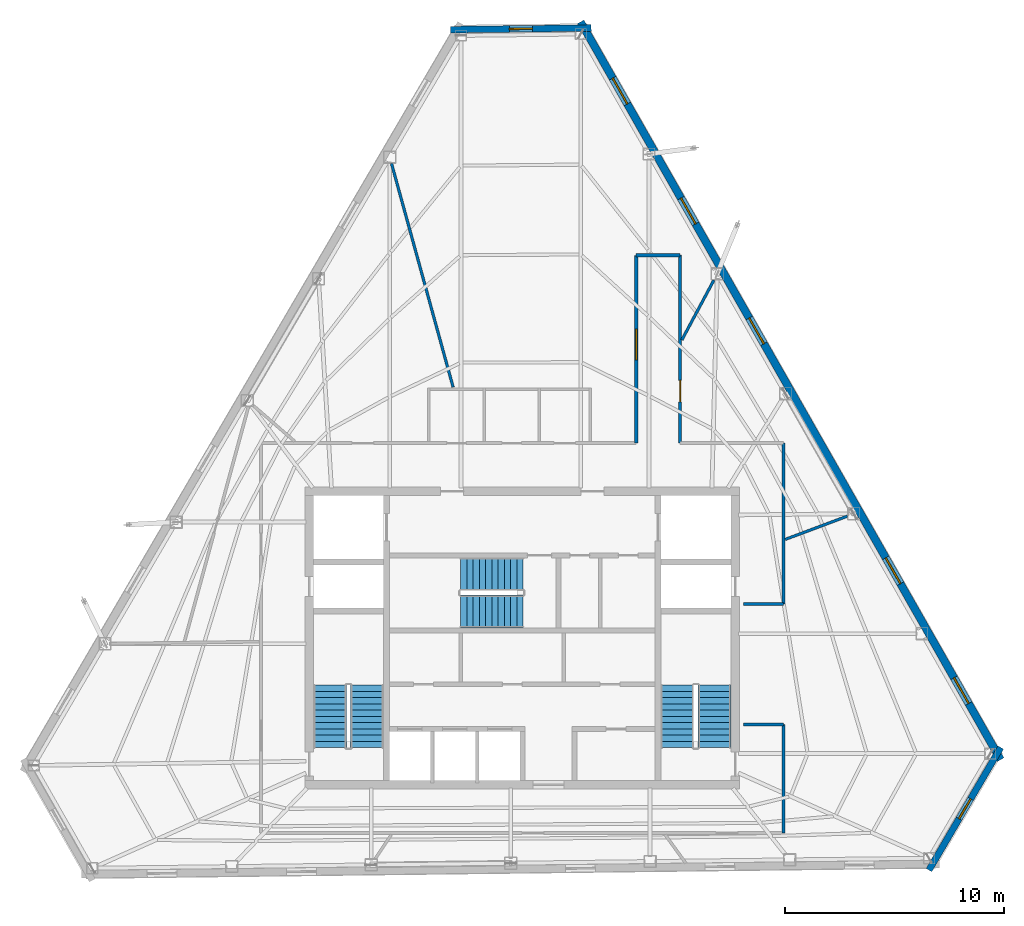
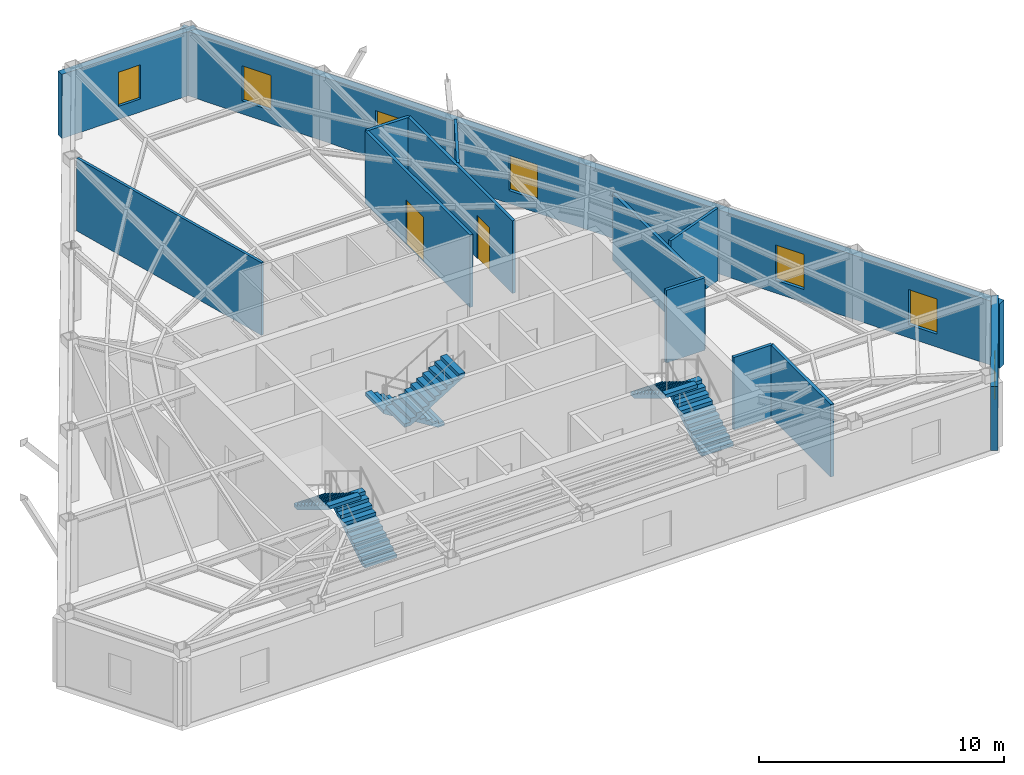
# One storey, part 9 of 10: 13 walls, 7 windows, 6 stair flights, 2 doors, 9 openings, 3 elements without a shape of their own.
"""IFC4 building model written with IfcOpenShell, lengths in metres."""

import ifcopenshell
import ifcopenshell.guid

model = None  # the IFC model being written
_history = None  # IfcOwnerHistory: only IFC2X3 demands one
_inside = {}  # id of a spatial element -> (the spatial element, [elements in it])
_under = {}  # id of a project, library or spatial element -> (it, [spatial elements below it])
_declared = {}  # id of a project -> (the project, [libraries it declares])
_typed = {}  # id of a type object -> (the type object, [elements of that type])
_made_of = {}  # id of a material, layer set ... -> (it, [elements and type objects made of it])


def new_model(schema):
    """Start an empty IFC model of exactly this schema.

    Asked for "IFC4X3", IfcOpenShell would pick the latest addendum, in which some entities
    have other attributes; the version numbers below select the first issue.
    IFC2X3 requires an IfcOwnerHistory on every rooted entity: one is made here for all.
    """
    global model, _history
    if schema == "IFC4X3":
        model = ifcopenshell.file(schema_version=(4, 3, 0, 0))
    else:
        model = ifcopenshell.file(schema=schema)
    _inside.clear()
    _under.clear()
    _declared.clear()
    _typed.clear()
    _made_of.clear()
    _history = None
    if model.schema == "IFC2X3":
        org = make("IfcOrganization", Name="unknown")
        user = make(
            "IfcPersonAndOrganization",
            ThePerson=make("IfcPerson", FamilyName="unknown"),
            TheOrganization=org,
        )
        app = make(
            "IfcApplication",
            ApplicationDeveloper=org,
            Version="unknown",
            ApplicationFullName="unknown",
            ApplicationIdentifier="unknown",
        )
        _history = make(
            "IfcOwnerHistory",
            OwningUser=user,
            OwningApplication=app,
            ChangeAction="ADDED",
            CreationDate=0,
        )
    return model


def make(cls, **values):
    """One entity of the class cls with the attributes given. An attribute that is None is left unset."""
    return model.create_entity(
        cls, **{name: value for name, value in values.items() if value is not None}
    )


def rooted(cls, **values):
    """An entity with a GlobalId (a new one), such as an element, a storey or a relation."""
    return make(cls, GlobalId=ifcopenshell.guid.new(), OwnerHistory=_history, **values)


def si_unit(unit_type, name, prefix=None):
    """IfcSIUnit, for example si_unit("LENGTHUNIT", "METRE", prefix="MILLI")."""
    return make("IfcSIUnit", UnitType=unit_type, Prefix=prefix, Name=name)


def assignment(units):
    """IfcUnitAssignment: the units of a project."""
    return None if units is None else make("IfcUnitAssignment", Units=units)


def point(xyz):
    """IfcCartesianPoint."""
    return None if xyz is None else make("IfcCartesianPoint", Coordinates=xyz)


def direction(xyz):
    """IfcDirection."""
    return None if xyz is None else make("IfcDirection", DirectionRatios=xyz)


def frame(location, z_axis=None, x_axis=None):
    """IfcAxis2Placement3D, a coordinate frame: its origin and axes. An axis left out is left unset."""
    return make(
        "IfcAxis2Placement3D",
        Location=point(location),
        Axis=direction(z_axis),
        RefDirection=direction(x_axis),
    )


def frame_2d(location, x_axis=None):
    """IfcAxis2Placement2D, a coordinate frame in the plane: its origin and x axis."""
    return make(
        "IfcAxis2Placement2D", Location=point(location), RefDirection=direction(x_axis)
    )


def origin():
    """The frame at (0, 0, 0) with its axes left unset."""
    return frame((0.0, 0.0, 0.0))


def place(relative_to, where):
    """IfcLocalPlacement: puts the frame where relative to a parent placement (None: the world)."""
    return make(
        "IfcLocalPlacement", PlacementRelTo=relative_to, RelativePlacement=where
    )


def context(
    kind, dimensions, precision=None, world=None, true_north=None, identifier=None
):
    """IfcGeometricRepresentationContext, for example the 3D "Model" context."""
    return make(
        "IfcGeometricRepresentationContext",
        ContextIdentifier=identifier,
        ContextType=kind,
        CoordinateSpaceDimension=dimensions,
        Precision=precision,
        WorldCoordinateSystem=world,
        TrueNorth=true_north,
    )


def subcontext(parent, identifier, kind, view, scale=None):
    """IfcGeometricRepresentationSubContext, for example "Body" below "Model"."""
    return make(
        "IfcGeometricRepresentationSubContext",
        ContextIdentifier=identifier,
        ContextType=kind,
        ParentContext=parent,
        TargetScale=scale,
        TargetView=view,
    )


def project(units=None, contexts=None):
    """IfcProject with its units and contexts."""
    return rooted(
        "IfcProject",
        Name="project",
        RepresentationContexts=contexts,
        UnitsInContext=assignment(units),
    )


def spatial(cls, under=None, at=None, **own):
    """A site, building, storey or space (cls), placed at a placement, below another one or the project."""
    s = rooted(cls, ObjectPlacement=at, **own)
    if under is not None:
        _under.setdefault(under.id(), (under, []))[1].append(s)
    return s


def polyline(points):
    """IfcPolyline through the points."""
    return make("IfcPolyline", Points=[point(p) for p in points])


def profile(cls, at=None, kind="AREA", **sizes):
    """A parametric profile (cls). Its sizes go by their IFC names, for example OverallWidth=200.0."""
    return make(cls, ProfileType=kind, Position=at, **sizes)


def rectangle(**sizes):
    """IfcRectangleProfileDef."""
    return profile("IfcRectangleProfileDef", **sizes)


def outline(outer, holes=None, kind="AREA"):
    """IfcArbitraryClosedProfileDef: a profile drawn as a closed curve; with holes, ...WithVoids."""
    if holes is None:
        return make("IfcArbitraryClosedProfileDef", ProfileType=kind, OuterCurve=outer)
    return make(
        "IfcArbitraryProfileDefWithVoids",
        ProfileType=kind,
        OuterCurve=outer,
        InnerCurves=holes,
    )


def extrude(swept, where, along, depth):
    """IfcExtrudedAreaSolid: the profile swept, set in the frame where, extruded along a direction by depth."""
    return make(
        "IfcExtrudedAreaSolid",
        SweptArea=swept,
        Position=where,
        ExtrudedDirection=direction(along),
        Depth=depth,
    )


def shape(context_of_items, identifier, shape_type, items):
    """IfcShapeRepresentation: the items that make up one representation, for example the "Body"."""
    return make(
        "IfcShapeRepresentation",
        ContextOfItems=context_of_items,
        RepresentationIdentifier=identifier,
        RepresentationType=shape_type,
        Items=items,
    )


def material(Name=None, Category=None):
    """IfcMaterial."""
    return make("IfcMaterial", Name=Name, Category=Category)


def layer(
    of_material, thickness, ventilated=None, Name=None, Category=None, Priority=None
):
    """IfcMaterialLayer: one layer of a wall or slab, of a material (None: an air gap)."""
    return make(
        "IfcMaterialLayer",
        Material=of_material,
        LayerThickness=thickness,
        IsVentilated=ventilated,
        Name=Name,
        Category=Category,
        Priority=Priority,
    )


def layer_set(layers, Name=None):
    """IfcMaterialLayerSet."""
    return make("IfcMaterialLayerSet", MaterialLayers=layers, LayerSetName=Name)


def made_of(thing, what):
    """Note that an element or type object is made of a material, layer set ...; save() writes the relation."""
    if what is not None:
        _made_of.setdefault(what.id(), (what, []))[1].append(thing)
    return thing


def type_object(cls, material=None, **own):
    """A type object (cls), such as IfcWallType, which elements share."""
    return made_of(rooted(cls, **own), material)


def element(
    cls,
    number,
    at=None,
    inside=None,
    cuts=None,
    type_object=None,
    material=None,
    context=None,
    identifier="Body",
    shape_type=None,
    held_by="IfcProductDefinitionShape",
    body=None,
    shapes=None,
    **own,
):
    """One element of the class cls, such as IfcWall. Its Tag is "e" and its number.

    at: its placement. inside: the storey or other place that contains it. cuts: it is an
    opening in that element (IfcRelVoidsElement). A single representation is given by context,
    identifier, shape_type and body (its items); several are given by shapes. held_by: the class
    of the entity that holds the representations. save() writes the other relations.
    """
    e = rooted(cls, Tag="e%d" % number, ObjectPlacement=at, **own)
    if body is not None:
        shapes = [shape(context, identifier, shape_type, body)]
    if shapes is not None:
        e.Representation = make(held_by, Representations=shapes)
    if inside is not None:
        _inside.setdefault(inside.id(), (inside, []))[1].append(e)
    if cuts is not None:
        rooted(
            "IfcRelVoidsElement", RelatingBuildingElement=cuts, RelatedOpeningElement=e
        )
    if type_object is not None:
        _typed.setdefault(type_object.id(), (type_object, []))[1].append(e)
    return made_of(e, material)


def fill(opening, filler):
    """IfcRelFillsElement: the door or window that sits in an opening."""
    return rooted(
        "IfcRelFillsElement",
        RelatingOpeningElement=opening,
        RelatedBuildingElement=filler,
    )


def aggregate(whole, parts):
    """IfcRelAggregates: a whole, such as a stair, and the parts it consists of."""
    return rooted("IfcRelAggregates", RelatingObject=whole, RelatedObjects=parts)


def save(model, path):
    """Write the relations noted so far, then the file.

    IfcRelAggregates (storeys below a building ...), IfcRelContainedInSpatialStructure (elements
    in a storey), IfcRelDefinesByType, IfcRelAssociatesMaterial and IfcRelDeclares: one each for
    every whole, place, type object, material and project.
    """
    for whole, parts in _under.values():
        aggregate(whole, parts)
    for where, things in _inside.values():
        rooted(
            "IfcRelContainedInSpatialStructure",
            RelatedElements=things,
            RelatingStructure=where,
        )
    for kind, things in _typed.values():
        rooted("IfcRelDefinesByType", RelatedObjects=things, RelatingType=kind)
    for what, things in _made_of.values():
        rooted("IfcRelAssociatesMaterial", RelatedObjects=things, RelatingMaterial=what)
    for by, libraries in _declared.values():
        rooted("IfcRelDeclares", RelatingContext=by, RelatedDefinitions=libraries)
    model.write(path)


model = new_model("IFC4")

# Units and contexts
model_context = context("Model", 3, precision=1e-05, world=origin(), true_north=direction((0.0, 1.0)))
body_context = subcontext(model_context, "Body", "Model", "MODEL_VIEW")
ifc_project = project(units=[si_unit("LENGTHUNIT", "METRE"), si_unit("AREAUNIT", "SQUARE_METRE"), si_unit("VOLUMEUNIT", "CUBIC_METRE"), si_unit("PLANEANGLEUNIT", "RADIAN"), si_unit("MASSUNIT", "GRAM", prefix="KILO")], contexts=[model_context])

# Site, building, storey
site_placement = place(None, origin())
site = spatial("IfcSite", under=ifc_project, at=site_placement, CompositionType="ELEMENT")
building_placement = place(site_placement, origin())
building = spatial("IfcBuilding", under=site, at=building_placement, Name="Kavelnor Concourse Tower", CompositionType="ELEMENT")
storey_placement = place(building_placement, frame((0.0, 0.0, 289.550048828125)))
storey = spatial("IfcBuildingStorey", under=building, at=storey_placement, Name="L73", CompositionType="ELEMENT", Elevation=289.550048828125)

# Wall, opening, window
ifc_material_1 = material(Name="Buff ironspot clay face brick masonry", Category="masonry")
ifc_layer_1 = layer(ifc_material_1, 0.300048828125, Name="Buff ironspot clay face brick masonry")
ifc_layer_set_1 = layer_set([ifc_layer_1], Name="Buff ironspot clay face brick masonry")
wall_type_1 = type_object("IfcWallType", Name="WL-EXT-BUFF-BRICK-FOLD-300", PredefinedType="STANDARD", material=ifc_layer_set_1)
wall_1_placement = place(storey_placement, frame((34.732666015625, 43.83984375, 0.0), z_axis=(0.0, 0.0, 1.0), x_axis=(0.999928144693, 0.011987720859, 0.0)))
wall_1 = element("IfcWall", 1, at=wall_1_placement, inside=storey, type_object=wall_type_1, Name="L73 Exterior Brick Facade Wall E0", PredefinedType="STANDARD", context=body_context, shape_type="SweptSolid", body=[
    extrude(rectangle(XDim=6.415283203125, YDim=0.300048828125, at=frame_2d((3.20751953125, 0.0))), origin(), (0.0, 0.0, 1.0), 3.196044921875),
])
opening_1_placement = place(wall_1_placement, frame((2.6826171875, 0.0, 0.64990234375)))
opening_1 = element("IfcOpeningElement", 2, at=opening_1_placement, cuts=wall_1, Name="Opening W-06", PredefinedType="OPENING", context=body_context, shape_type="SweptSolid", body=[
    extrude(rectangle(XDim=1.050048828125, YDim=1.699951171875, at=frame_2d((0.52490234375, 0.85009765625))), frame((0.0, 0.16015625, 0.0), z_axis=(0.0, -1.0, 0.0), x_axis=(1.0, 0.0, 0.0)), (0.0, 0.0, 1.0), 0.320068359375),
])
ifc_material_2 = material(Name="Double low-E argon insulated glazing", Category="glass")
window_type_1 = type_object("IfcWindowType", Name="WIN-FOLD-1050", PartitioningType="SINGLE_PANEL", PredefinedType="WINDOW", material=ifc_material_2)
window_1_placement = place(opening_1_placement, origin())
window_1 = element("IfcWindow", 3, at=window_1_placement, inside=storey, type_object=window_type_1, Name="L73 Chamfer-Fold Facet Window C0", OverallHeight=1.699951171875, OverallWidth=1.050048828125, PartitioningType="SINGLE_PANEL", PredefinedType="WINDOW", context=body_context, shape_type="SweptSolid", body=[
    extrude(rectangle(XDim=1.050048828125, YDim=1.699951171875, at=frame_2d((0.52490234375, 0.85009765625))), frame((0.0, 0.030029296875, 0.0), z_axis=(0.0, -1.0, 0.0), x_axis=(1.0, 0.0, 0.0)), (0.0, 0.0, 1.0), 0.06005859375),
])
fill(opening_1, window_1)

wall_2_placement = place(storey_placement, frame((59.820068359375, 11.107177734375, 0.0), z_axis=(0.0, 0.0, 1.0), x_axis=(-0.50511963023, -0.863049337614, 0.0)))
wall_2 = element("IfcWall", 4, at=wall_2_placement, inside=storey, type_object=wall_type_1, Name="L73 Exterior Brick Facade Wall E4", PredefinedType="STANDARD", context=body_context, shape_type="SweptSolid", body=[
    extrude(rectangle(XDim=6.47705078125, YDim=0.300048828125, at=frame_2d((3.238525390625, 0.0))), origin(), (0.0, 0.0, 1.0), 3.196044921875),
])
opening_2_placement = place(wall_2_placement, frame((2.713623046875, 0.0, 0.64990234375)))
opening_2 = element("IfcOpeningElement", 5, at=opening_2_placement, cuts=wall_2, Name="Opening W-06", PredefinedType="OPENING", context=body_context, shape_type="SweptSolid", body=[
    extrude(rectangle(XDim=1.050048828125, YDim=1.699951171875, at=frame_2d((0.52490234375, 0.85009765625))), frame((0.0, 0.16015625, 0.0), z_axis=(0.0, -1.0, 0.0), x_axis=(1.0, 0.0, 0.0)), (0.0, 0.0, 1.0), 0.320068359375),
])
window_2_placement = place(opening_2_placement, origin())
window_2 = element("IfcWindow", 6, at=window_2_placement, inside=storey, type_object=window_type_1, Name="L73 Chamfer-Fold Facet Window C2", OverallHeight=1.699951171875, OverallWidth=1.050048828125, PartitioningType="SINGLE_PANEL", PredefinedType="WINDOW", context=body_context, shape_type="SweptSolid", body=[
    extrude(rectangle(XDim=1.050048828125, YDim=1.699951171875, at=frame_2d((0.52490234375, 0.85009765625))), frame((0.0, 0.030029296875, 0.0), z_axis=(0.0, -1.0, 0.0), x_axis=(1.0, 0.0, 0.0)), (0.0, 0.0, 1.0), 0.06005859375),
])
fill(opening_2, window_2)

# Wall, openings, windows
ifc_material_3 = material(Name="Red-ochre clay face brick masonry", Category="masonry")
ifc_layer_2 = layer(ifc_material_3, 0.35009765625, Name="Red-ochre clay face brick masonry")
ifc_layer_set_2 = layer_set([ifc_layer_2], Name="Red-ochre clay face brick masonry")
wall_type_2 = type_object("IfcWallType", Name="WL-EXT-RED-BRICK-PIER-350", PredefinedType="STANDARD", material=ifc_layer_set_2)
wall_3_placement = place(storey_placement, frame((40.66357421875, 44.194091796875, 0.0), z_axis=(0.0, 0.0, 1.0), x_axis=(0.494747407388, -0.869036824814, 0.0)))
wall_3 = element("IfcWall", 7, at=wall_3_placement, inside=storey, type_object=wall_type_2, Name="L73 Exterior Brick Facade Wall E5", PredefinedType="STANDARD", context=body_context, shape_type="SweptSolid", body=[
    extrude(rectangle(XDim=38.71337890625, YDim=0.35009765625, at=frame_2d((19.356689453125, 0.0))), origin(), (0.0, 0.0, 1.0), 3.196044921875),
])
opening_3_placement = place(wall_3_placement, frame((34.415283203125, 0.0, 0.64990234375)))
opening_3 = element("IfcOpeningElement", 8, at=opening_3_placement, cuts=wall_3, Name="Opening W-04", PredefinedType="OPENING", context=body_context, shape_type="SweptSolid", body=[
    extrude(rectangle(XDim=1.35009765625, YDim=1.75, at=frame_2d((0.675048828125, 0.875))), frame((0.0, 0.18505859375, 0.0), z_axis=(0.0, -1.0, 0.0), x_axis=(1.0, 0.0, 0.0)), (0.0, 0.0, 1.0), 0.3701171875),
])
opening_4_placement = place(wall_3_placement, frame((28.123046875, 0.0, 0.64990234375)))
opening_4 = element("IfcOpeningElement", 9, at=opening_4_placement, cuts=wall_3, Name="Opening W-04", PredefinedType="OPENING", context=body_context, shape_type="SweptSolid", body=[
    extrude(rectangle(XDim=1.35009765625, YDim=1.75, at=frame_2d((0.675048828125, 0.875))), frame((0.0, 0.18505859375, 0.0), z_axis=(0.0, -1.0, 0.0), x_axis=(1.0, 0.0, 0.0)), (0.0, 0.0, 1.0), 0.3701171875),
])
opening_5_placement = place(wall_3_placement, frame((15.53857421875, 0.0, 0.64990234375)))
opening_5 = element("IfcOpeningElement", 10, at=opening_5_placement, cuts=wall_3, Name="Opening W-04", PredefinedType="OPENING", context=body_context, shape_type="SweptSolid", body=[
    extrude(rectangle(XDim=1.35009765625, YDim=1.75, at=frame_2d((0.675048828125, 0.875))), frame((0.0, 0.18505859375, 0.0), z_axis=(0.0, -1.0, 0.0), x_axis=(1.0, 0.0, 0.0)), (0.0, 0.0, 1.0), 0.3701171875),
])
opening_6_placement = place(wall_3_placement, frame((9.246337890625, 0.0, 0.64990234375)))
opening_6 = element("IfcOpeningElement", 11, at=opening_6_placement, cuts=wall_3, Name="Opening W-04", PredefinedType="OPENING", context=body_context, shape_type="SweptSolid", body=[
    extrude(rectangle(XDim=1.35009765625, YDim=1.75, at=frame_2d((0.675048828125, 0.875))), frame((0.0, 0.18505859375, 0.0), z_axis=(0.0, -1.0, 0.0), x_axis=(1.0, 0.0, 0.0)), (0.0, 0.0, 1.0), 0.3701171875),
])
opening_7_placement = place(wall_3_placement, frame((2.9541015625, 0.0, 0.64990234375)))
opening_7 = element("IfcOpeningElement", 12, at=opening_7_placement, cuts=wall_3, Name="Opening W-04", PredefinedType="OPENING", context=body_context, shape_type="SweptSolid", body=[
    extrude(rectangle(XDim=1.35009765625, YDim=1.75, at=frame_2d((0.675048828125, 0.875))), frame((0.0, 0.18505859375, 0.0), z_axis=(0.0, -1.0, 0.0), x_axis=(1.0, 0.0, 0.0)), (0.0, 0.0, 1.0), 0.3701171875),
])
window_type_2 = type_object("IfcWindowType", Name="WIN-PIER-Z4-1350", PartitioningType="SINGLE_PANEL", PredefinedType="WINDOW", material=ifc_material_2)
window_3_placement = place(opening_3_placement, origin())
window_3 = element("IfcWindow", 13, at=window_3_placement, inside=storey, type_object=window_type_2, Name="L73 Deep-Set Brick Pier Window F2-B0", OverallHeight=1.75, OverallWidth=1.35009765625, PartitioningType="SINGLE_PANEL", PredefinedType="WINDOW", context=body_context, shape_type="SweptSolid", body=[
    extrude(rectangle(XDim=1.35009765625, YDim=1.75, at=frame_2d((0.675048828125, 0.875))), frame((0.0, 0.030029296875, 0.0), z_axis=(0.0, -1.0, 0.0), x_axis=(1.0, 0.0, 0.0)), (0.0, 0.0, 1.0), 0.06005859375),
])
fill(opening_3, window_3)
window_4_placement = place(opening_4_placement, origin())
window_4 = element("IfcWindow", 14, at=window_4_placement, inside=storey, type_object=window_type_2, Name="L73 Deep-Set Brick Pier Window F2-B1", OverallHeight=1.75, OverallWidth=1.35009765625, PartitioningType="SINGLE_PANEL", PredefinedType="WINDOW", context=body_context, shape_type="SweptSolid", body=[
    extrude(rectangle(XDim=1.35009765625, YDim=1.75, at=frame_2d((0.675048828125, 0.875))), frame((0.0, 0.030029296875, 0.0), z_axis=(0.0, -1.0, 0.0), x_axis=(1.0, 0.0, 0.0)), (0.0, 0.0, 1.0), 0.06005859375),
])
fill(opening_4, window_4)
window_5_placement = place(opening_5_placement, origin())
window_5 = element("IfcWindow", 15, at=window_5_placement, inside=storey, type_object=window_type_2, Name="L73 Deep-Set Brick Pier Window F2-B3", OverallHeight=1.75, OverallWidth=1.35009765625, PartitioningType="SINGLE_PANEL", PredefinedType="WINDOW", context=body_context, shape_type="SweptSolid", body=[
    extrude(rectangle(XDim=1.35009765625, YDim=1.75, at=frame_2d((0.675048828125, 0.875))), frame((0.0, 0.030029296875, 0.0), z_axis=(0.0, -1.0, 0.0), x_axis=(1.0, 0.0, 0.0)), (0.0, 0.0, 1.0), 0.06005859375),
])
fill(opening_5, window_5)
window_6_placement = place(opening_6_placement, origin())
window_6 = element("IfcWindow", 16, at=window_6_placement, inside=storey, type_object=window_type_2, Name="L73 Deep-Set Brick Pier Window F2-B4", OverallHeight=1.75, OverallWidth=1.35009765625, PartitioningType="SINGLE_PANEL", PredefinedType="WINDOW", context=body_context, shape_type="SweptSolid", body=[
    extrude(rectangle(XDim=1.35009765625, YDim=1.75, at=frame_2d((0.675048828125, 0.875))), frame((0.0, 0.030029296875, 0.0), z_axis=(0.0, -1.0, 0.0), x_axis=(1.0, 0.0, 0.0)), (0.0, 0.0, 1.0), 0.06005859375),
])
fill(opening_6, window_6)
window_7_placement = place(opening_7_placement, origin())
window_7 = element("IfcWindow", 17, at=window_7_placement, inside=storey, type_object=window_type_2, Name="L73 Deep-Set Brick Pier Window F2-B5", OverallHeight=1.75, OverallWidth=1.35009765625, PartitioningType="SINGLE_PANEL", PredefinedType="WINDOW", context=body_context, shape_type="SweptSolid", body=[
    extrude(rectangle(XDim=1.35009765625, YDim=1.75, at=frame_2d((0.675048828125, 0.875))), frame((0.0, 0.030029296875, 0.0), z_axis=(0.0, -1.0, 0.0), x_axis=(1.0, 0.0, 0.0)), (0.0, 0.0, 1.0), 0.06005859375),
])
fill(opening_7, window_7)

# Wall, opening, door
ifc_material_4 = material(Name="Gypsum plasterboard on light-gauge steel studs", Category="steel")
ifc_layer_3 = layer(ifc_material_4, 0.14501953125, Name="Gypsum plasterboard on light-gauge steel studs")
ifc_layer_set_3 = layer_set([ifc_layer_3], Name="Gypsum plasterboard on light-gauge steel studs")
wall_type_3 = type_object("IfcWallType", Name="WL-INT-CORR-145", PredefinedType="PARTITIONING", material=ifc_layer_set_3)
wall_4_placement = place(storey_placement, frame((43.199951171875, 24.989990234375, 0.0), z_axis=(0.0, 0.0, 1.0), x_axis=(0.0, 1.0, 0.0)))
wall_4 = element("IfcWall", 18, at=wall_4_placement, inside=storey, type_object=wall_type_3, Name="L73 Corridor Wall WL-L73-CR-01", PredefinedType="PARTITIONING", context=body_context, shape_type="SweptSolid", body=[
    extrude(rectangle(XDim=8.563720703125, YDim=0.14501953125, at=frame_2d((4.28173828125, 0.0))), origin(), (0.0, 0.0, 1.0), 3.60986328125),
])
opening_8_placement = place(wall_4_placement, frame((3.795166015625, 0.0, 0.0)))
opening_8 = element("IfcOpeningElement", 19, at=opening_8_placement, cuts=wall_4, Name="Opening SD-140", PredefinedType="OPENING", context=body_context, shape_type="SweptSolid", body=[
    extrude(rectangle(XDim=1.39990234375, YDim=2.199951171875, at=frame_2d((0.699951171875, 1.10009765625))), frame((0.0, 0.08251953125, 0.0), z_axis=(0.0, -1.0, 0.0), x_axis=(1.0, 0.0, 0.0)), (0.0, 0.0, 1.0), 0.1650390625),
])
ifc_material_5 = material(Name="Solid-core hardwood timber", Category="wood")
door_type_1 = type_object("IfcDoorType", Name="DR-SUITE-ENTRY-1400", OperationType="NOTDEFINED", PredefinedType="DOOR", material=ifc_material_5)
door_1_placement = place(opening_8_placement, origin())
door_1 = element("IfcDoor", 20, at=door_1_placement, inside=storey, type_object=door_type_1, Name="L73 Architectural Design Studio 02 Door", OperationType="SINGLE_SWING_RIGHT", OverallHeight=2.199951171875, OverallWidth=1.39990234375, PredefinedType="DOOR", context=body_context, shape_type="SweptSolid", body=[
    extrude(rectangle(XDim=1.39990234375, YDim=2.199951171875, at=frame_2d((0.699951171875, 1.10009765625))), frame((0.0, 0.02490234375, 0.0), z_axis=(0.0, -1.0, 0.0), x_axis=(1.0, 0.0, 0.0)), (0.0, 0.0, 1.0), 0.050048828125),
])
fill(opening_8, door_1)

# Wall
wall_5_placement = place(storey_placement, frame((43.199951171875, 33.5537109375, 0.0), z_axis=(0.0, 0.0, 1.0), x_axis=(1.0, 0.0, 0.0)))
element("IfcWall", 21, at=wall_5_placement, inside=storey, type_object=wall_type_3, Name="L73 Corridor Wall WL-L73-CR-02", PredefinedType="PARTITIONING", context=body_context, shape_type="SweptSolid", body=[
    extrude(rectangle(XDim=2.0, YDim=0.14501953125, at=frame_2d((1.0, 0.0))), origin(), (0.0, 0.0, 1.0), 3.60986328125),
])

# Wall, opening, door
wall_6_placement = place(storey_placement, frame((45.199951171875, 33.5537109375, 0.0), z_axis=(0.0, 0.0, 1.0), x_axis=(0.0, -1.0, 0.0)))
wall_6 = element("IfcWall", 22, at=wall_6_placement, inside=storey, type_object=wall_type_3, Name="L73 Corridor Wall WL-L73-CR-03", PredefinedType="PARTITIONING", context=body_context, shape_type="SweptSolid", body=[
    extrude(rectangle(XDim=8.563720703125, YDim=0.14501953125, at=frame_2d((4.28173828125, 0.0))), origin(), (0.0, 0.0, 1.0), 3.60986328125),
])
opening_9_placement = place(wall_6_placement, frame((5.70068359375, 0.0, 0.0)))
opening_9 = element("IfcOpeningElement", 23, at=opening_9_placement, cuts=wall_6, Name="Opening OD-098", PredefinedType="OPENING", context=body_context, shape_type="SweptSolid", body=[
    extrude(rectangle(XDim=0.97998046875, YDim=2.14990234375, at=frame_2d((0.489990234375, 1.074951171875))), frame((0.0, 0.08251953125, 0.0), z_axis=(0.0, -1.0, 0.0), x_axis=(1.0, 0.0, 0.0)), (0.0, 0.0, 1.0), 0.1650390625),
])
door_type_2 = type_object("IfcDoorType", Name="DR-OFFICE-980", OperationType="NOTDEFINED", PredefinedType="DOOR", material=ifc_material_5)
door_2_placement = place(opening_9_placement, origin())
door_2 = element("IfcDoor", 24, at=door_2_placement, inside=storey, type_object=door_type_2, Name="L73 Client Concierge 01 Door", OperationType="SINGLE_SWING_LEFT", OverallHeight=2.14990234375, OverallWidth=0.97998046875, PredefinedType="DOOR", context=body_context, shape_type="SweptSolid", body=[
    extrude(rectangle(XDim=0.97998046875, YDim=2.14990234375, at=frame_2d((0.489990234375, 1.074951171875))), frame((0.0, 0.02490234375, 0.0), z_axis=(0.0, -1.0, 0.0), x_axis=(1.0, 0.0, 0.0)), (0.0, 0.0, 1.0), 0.050048828125),
])
fill(opening_9, door_2)

# Walls
wall_7_placement = place(storey_placement, frame((49.909912109375, 24.989990234375, 0.0), z_axis=(0.0, 0.0, 1.0), x_axis=(0.0, -1.0, 0.0)))
element("IfcWall", 25, at=wall_7_placement, inside=storey, type_object=wall_type_3, Name="L73 Corridor Wall WL-L73-CR-05", PredefinedType="PARTITIONING", context=body_context, shape_type="SweptSolid", body=[
    extrude(rectangle(XDim=7.340087890625, YDim=0.14501953125, at=frame_2d((3.669921875, 0.0))), origin(), (0.0, 0.0, 1.0), 3.348876953125),
])
for number, where, z_axis, x_axis, name in (
    (26, (49.909912109375, 17.64990234375, 0.0), (0.0, 0.0, 1.0), (-1.0, 0.0, 0.0), "L73 Corridor Wall WL-L73-CR-06"),
    (27, (48.090087890625, 12.14990234375, 0.0), (0.0, 0.0, 1.0), (1.0, 0.0, 0.0), "L73 Corridor Wall WL-L73-CR-07"),
):
    element("IfcWall", number, at=place(storey_placement, frame(where, z_axis=z_axis, x_axis=x_axis)), inside=storey, type_object=wall_type_3, Name=name, PredefinedType="PARTITIONING", context=body_context, shape_type="SweptSolid", body=[
        extrude(rectangle(XDim=1.81982421875, YDim=0.14501953125, at=frame_2d((0.909912109375, 0.0))), origin(), (0.0, 0.0, 1.0), 3.60986328125),
    ])
wall_8_placement = place(storey_placement, frame((49.909912109375, 12.14990234375, 0.0), z_axis=(0.0, 0.0, 1.0), x_axis=(0.0, -1.0, 0.0)))
element("IfcWall", 28, at=wall_8_placement, inside=storey, type_object=wall_type_3, Name="L73 Corridor Wall WL-L73-CR-08", PredefinedType="PARTITIONING", context=body_context, shape_type="SweptSolid", body=[
    extrude(rectangle(XDim=4.93994140625, YDim=0.14501953125, at=frame_2d((2.469970703125, 0.0))), origin(), (0.0, 0.0, 1.0), 3.60986328125),
])
ifc_layer_4 = layer(ifc_material_4, 0.125, Name="Gypsum plasterboard on light-gauge steel studs")
ifc_layer_set_4 = layer_set([ifc_layer_4], Name="Gypsum plasterboard on light-gauge steel studs")
wall_type_4 = type_object("IfcWallType", Name="WL-INT-SUITE-125", PredefinedType="PARTITIONING", material=ifc_layer_set_4)
wall_9_placement = place(storey_placement, frame((49.990478515625, 20.594970703125, 0.0), z_axis=(0.0, 0.0, 1.0), x_axis=(0.936372151361, 0.351008823472, 0.0)))
element("IfcWall", 29, at=wall_9_placement, inside=storey, type_object=wall_type_4, Name="L73 Radial Suite Partition 01", PredefinedType="PARTITIONING", context=body_context, shape_type="SweptSolid", body=[
    extrude(rectangle(XDim=3.03466796875, YDim=0.125, at=frame_2d((1.517333984375, 0.0))), origin(), (0.0, 0.0, 1.0), 3.60986328125),
])
wall_10_placement = place(storey_placement, frame((45.280517578125, 29.692626953125, 0.0), z_axis=(0.0, 0.0, 1.0), x_axis=(0.472162212873, 0.881511681564, 0.0)))
element("IfcWall", 30, at=wall_10_placement, inside=storey, type_object=wall_type_4, Name="L73 Radial Suite Partition 02", PredefinedType="PARTITIONING", context=body_context, shape_type="SweptSolid", body=[
    extrude(rectangle(XDim=3.090087890625, YDim=0.125, at=frame_2d((1.544921875, 0.0))), origin(), (0.0, 0.0, 1.0), 3.60986328125),
])
wall_11_placement = place(storey_placement, frame((34.84912109375, 27.5400390625, 0.0), z_axis=(0.0, 0.0, 1.0), x_axis=(-0.265543710565, 0.964098821584, 0.0)))
element("IfcWall", 31, at=wall_11_placement, inside=storey, type_object=wall_type_4, Name="L73 Radial Suite Partition 03", PredefinedType="PARTITIONING", context=body_context, shape_type="SweptSolid", body=[
    extrude(rectangle(XDim=10.57958984375, YDim=0.125, at=frame_2d((5.289794921875, 0.0))), origin(), (0.0, 0.0, 1.0), 3.60986328125),
])

# Stair, stair flights
ifc_material_6 = material(Name="Concrete C40/50", Category="concrete")
stair_type = type_object("IfcStairType", Name="STR-CORE-1500", PredefinedType="HALF_TURN_STAIR", material=ifc_material_6)
stair_1_placement = place(storey_placement, origin())
stair_1 = element("IfcStair", 32, at=stair_1_placement, inside=storey, type_object=stair_type, Name="L73 ST1", PredefinedType="HALF_TURN_STAIR")
stair_flight_type = type_object("IfcStairFlightType", Name="STR-FLIGHT-1500", PredefinedType="STRAIGHT", material=ifc_material_6)
stair_flight_1_placement = place(storey_placement, frame((30.929931640625, 11.10009765625, 0.0), z_axis=(0.0, 0.0, 1.0), x_axis=(0.0, 1.0, 0.0)))
stair_flight_1 = element("IfcStairFlight", 33, at=stair_flight_1_placement, type_object=stair_flight_type, Name="ST1 flight 1", NumberOfRisers=11, NumberOfTreads=10, PredefinedType="STRAIGHT", RiserHeight=0.175, TreadLength=0.285, context=body_context, shape_type="SweptSolid", body=[
    extrude(outline(polyline([(0.0, 0.0), (0.0, 0.175048828125), (0.284912109375, 0.175048828125), (0.284912109375, 0.35009765625), (0.570068359375, 0.35009765625), (0.570068359375, 0.52490234375), (0.85498046875, 0.52490234375), (0.85498046875, 0.699951171875), (1.139892578125, 0.699951171875), (1.139892578125, 0.875), (1.425048828125, 0.875), (1.425048828125, 1.050048828125), (1.7099609375, 1.050048828125), (1.7099609375, 1.22509765625), (1.9951171875, 1.22509765625), (1.9951171875, 1.39990234375), (2.280029296875, 1.39990234375), (2.280029296875, 1.574951171875), (2.56494140625, 1.574951171875), (2.56494140625, 1.75), (2.85009765625, 1.75), (2.85009765625, 1.925048828125), (2.85009765625, 1.573974609375), (0.286376953125, 0.0), (0.0, 0.0)])), frame((0.0, 0.75, 0.0), z_axis=(0.0, -1.0, 0.0), x_axis=(1.0, 0.0, 0.0)), (0.0, 0.0, 1.0), 1.5),
])
stair_flight_2_placement = place(storey_placement, frame((29.22998046875, 13.949951171875, 1.925048828125), z_axis=(0.0, 0.0, 1.0), x_axis=(0.0, -1.0, 0.0)))
stair_flight_2 = element("IfcStairFlight", 34, at=stair_flight_2_placement, type_object=stair_flight_type, Name="ST1 flight 2", NumberOfRisers=11, NumberOfTreads=10, PredefinedType="STRAIGHT", RiserHeight=0.175, TreadLength=0.285, context=body_context, shape_type="SweptSolid", body=[
    extrude(outline(polyline([(0.0, 0.0), (0.0, 0.175048828125), (0.284912109375, 0.175048828125), (0.284912109375, 0.35009765625), (0.570068359375, 0.35009765625), (0.570068359375, 0.52490234375), (0.85498046875, 0.52490234375), (0.85498046875, 0.699951171875), (1.139892578125, 0.699951171875), (1.139892578125, 0.875), (1.425048828125, 0.875), (1.425048828125, 1.050048828125), (1.7099609375, 1.050048828125), (1.7099609375, 1.22509765625), (1.9951171875, 1.22509765625), (1.9951171875, 1.39990234375), (2.280029296875, 1.39990234375), (2.280029296875, 1.574951171875), (2.56494140625, 1.574951171875), (2.56494140625, 1.75), (2.85009765625, 1.75), (2.85009765625, 1.925048828125), (2.85009765625, 1.573974609375), (0.286376953125, 0.0), (0.0, 0.0)])), frame((0.0, 0.75, 0.0), z_axis=(0.0, -1.0, 0.0), x_axis=(1.0, 0.0, 0.0)), (0.0, 0.0, 1.0), 1.5),
])
aggregate(stair_1, [stair_flight_1, stair_flight_2])

stair_2_placement = place(storey_placement, origin())
stair_2 = element("IfcStair", 35, at=stair_2_placement, inside=storey, type_object=stair_type, Name="L73 ST2", PredefinedType="HALF_TURN_STAIR")
stair_flight_3_placement = place(storey_placement, frame((46.77001953125, 11.10009765625, 0.0), z_axis=(0.0, 0.0, 1.0), x_axis=(0.0, 1.0, 0.0)))
stair_flight_3 = element("IfcStairFlight", 36, at=stair_flight_3_placement, type_object=stair_flight_type, Name="ST2 flight 1", NumberOfRisers=11, NumberOfTreads=10, PredefinedType="STRAIGHT", RiserHeight=0.175, TreadLength=0.285, context=body_context, shape_type="SweptSolid", body=[
    extrude(outline(polyline([(0.0, 0.0), (0.0, 0.175048828125), (0.284912109375, 0.175048828125), (0.284912109375, 0.35009765625), (0.570068359375, 0.35009765625), (0.570068359375, 0.52490234375), (0.85498046875, 0.52490234375), (0.85498046875, 0.699951171875), (1.139892578125, 0.699951171875), (1.139892578125, 0.875), (1.425048828125, 0.875), (1.425048828125, 1.050048828125), (1.7099609375, 1.050048828125), (1.7099609375, 1.22509765625), (1.9951171875, 1.22509765625), (1.9951171875, 1.39990234375), (2.280029296875, 1.39990234375), (2.280029296875, 1.574951171875), (2.56494140625, 1.574951171875), (2.56494140625, 1.75), (2.85009765625, 1.75), (2.85009765625, 1.925048828125), (2.85009765625, 1.573974609375), (0.286376953125, 0.0), (0.0, 0.0)])), frame((0.0, 0.75, 0.0), z_axis=(0.0, -1.0, 0.0), x_axis=(1.0, 0.0, 0.0)), (0.0, 0.0, 1.0), 1.5),
])
stair_flight_4_placement = place(storey_placement, frame((45.070068359375, 13.949951171875, 1.925048828125), z_axis=(0.0, 0.0, 1.0), x_axis=(0.0, -1.0, 0.0)))
stair_flight_4 = element("IfcStairFlight", 37, at=stair_flight_4_placement, type_object=stair_flight_type, Name="ST2 flight 2", NumberOfRisers=11, NumberOfTreads=10, PredefinedType="STRAIGHT", RiserHeight=0.175, TreadLength=0.285, context=body_context, shape_type="SweptSolid", body=[
    extrude(outline(polyline([(0.0, 0.0), (0.0, 0.175048828125), (0.284912109375, 0.175048828125), (0.284912109375, 0.35009765625), (0.570068359375, 0.35009765625), (0.570068359375, 0.52490234375), (0.85498046875, 0.52490234375), (0.85498046875, 0.699951171875), (1.139892578125, 0.699951171875), (1.139892578125, 0.875), (1.425048828125, 0.875), (1.425048828125, 1.050048828125), (1.7099609375, 1.050048828125), (1.7099609375, 1.22509765625), (1.9951171875, 1.22509765625), (1.9951171875, 1.39990234375), (2.280029296875, 1.39990234375), (2.280029296875, 1.574951171875), (2.56494140625, 1.574951171875), (2.56494140625, 1.75), (2.85009765625, 1.75), (2.85009765625, 1.925048828125), (2.85009765625, 1.573974609375), (0.286376953125, 0.0), (0.0, 0.0)])), frame((0.0, 0.75, 0.0), z_axis=(0.0, -1.0, 0.0), x_axis=(1.0, 0.0, 0.0)), (0.0, 0.0, 1.0), 1.5),
])
aggregate(stair_2, [stair_flight_3, stair_flight_4])

stair_3_placement = place(storey_placement, origin())
stair_3 = element("IfcStair", 38, at=stair_3_placement, inside=storey, type_object=stair_type, Name="L73 ST3", PredefinedType="HALF_TURN_STAIR")
stair_flight_5_placement = place(storey_placement, frame((38.0400390625, 19.010009765625, 0.0), z_axis=(0.0, 0.0, 1.0), x_axis=(-1.0, 0.0, 0.0)))
stair_flight_5 = element("IfcStairFlight", 39, at=stair_flight_5_placement, type_object=stair_flight_type, Name="ST3 flight 1", NumberOfRisers=11, NumberOfTreads=10, PredefinedType="STRAIGHT", RiserHeight=0.175, TreadLength=0.285, context=body_context, shape_type="SweptSolid", body=[
    extrude(outline(polyline([(0.0, 0.0), (0.0, 0.175048828125), (0.284912109375, 0.175048828125), (0.284912109375, 0.35009765625), (0.570068359375, 0.35009765625), (0.570068359375, 0.52490234375), (0.85498046875, 0.52490234375), (0.85498046875, 0.699951171875), (1.139892578125, 0.699951171875), (1.139892578125, 0.875), (1.425048828125, 0.875), (1.425048828125, 1.050048828125), (1.7099609375, 1.050048828125), (1.7099609375, 1.22509765625), (1.9951171875, 1.22509765625), (1.9951171875, 1.39990234375), (2.280029296875, 1.39990234375), (2.280029296875, 1.574951171875), (2.56494140625, 1.574951171875), (2.56494140625, 1.75), (2.85009765625, 1.75), (2.85009765625, 1.925048828125), (2.85009765625, 1.573974609375), (0.286376953125, 0.0), (0.0, 0.0)])), frame((0.0, 0.75, 0.0), z_axis=(0.0, -1.0, 0.0), x_axis=(1.0, 0.0, 0.0)), (0.0, 0.0, 1.0), 1.5),
])
stair_flight_6_placement = place(storey_placement, frame((35.18994140625, 17.31005859375, 1.925048828125), z_axis=(0.0, 0.0, 1.0), x_axis=(1.0, 0.0, 0.0)))
stair_flight_6 = element("IfcStairFlight", 40, at=stair_flight_6_placement, type_object=stair_flight_type, Name="ST3 flight 2", NumberOfRisers=11, NumberOfTreads=10, PredefinedType="STRAIGHT", RiserHeight=0.175, TreadLength=0.285, context=body_context, shape_type="SweptSolid", body=[
    extrude(outline(polyline([(0.0, 0.0), (0.0, 0.175048828125), (0.284912109375, 0.175048828125), (0.284912109375, 0.35009765625), (0.570068359375, 0.35009765625), (0.570068359375, 0.52490234375), (0.85498046875, 0.52490234375), (0.85498046875, 0.699951171875), (1.139892578125, 0.699951171875), (1.139892578125, 0.875), (1.425048828125, 0.875), (1.425048828125, 1.050048828125), (1.7099609375, 1.050048828125), (1.7099609375, 1.22509765625), (1.9951171875, 1.22509765625), (1.9951171875, 1.39990234375), (2.280029296875, 1.39990234375), (2.280029296875, 1.574951171875), (2.56494140625, 1.574951171875), (2.56494140625, 1.75), (2.85009765625, 1.75), (2.85009765625, 1.925048828125), (2.85009765625, 1.573974609375), (0.286376953125, 0.0), (0.0, 0.0)])), frame((0.0, 0.75, 0.0), z_axis=(0.0, -1.0, 0.0), x_axis=(1.0, 0.0, 0.0)), (0.0, 0.0, 1.0), 1.5),
])
aggregate(stair_3, [stair_flight_5, stair_flight_6])

save(model, "model.ifc")
